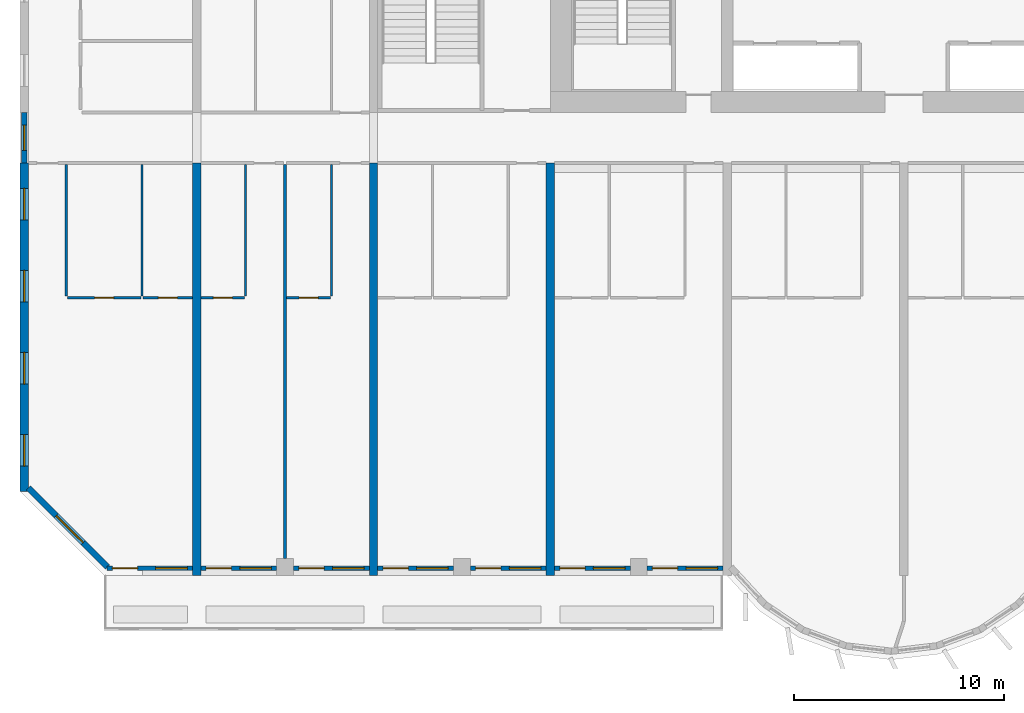
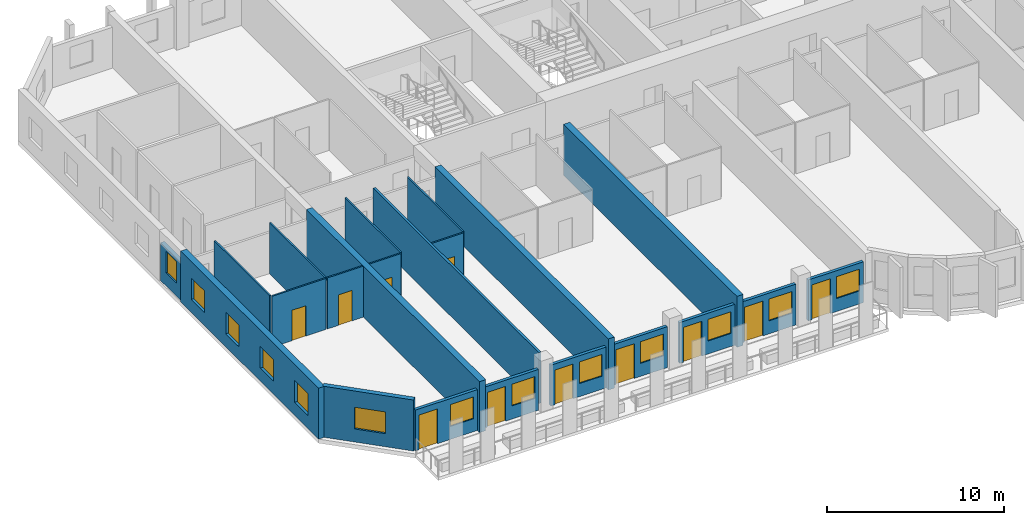
# One storey, part 2 of 15: 22 walls, 13 windows, 11 doors, 24 openings.
"""IFC4 building model written with IfcOpenShell, lengths in metres."""

from ifc_helpers import new_model, si_unit, direction, frame, frame_2d, origin, place, context, subcontext, project, spatial, rectangle, extrude, source, transform, mapped, material, layer, layer_set, type_object, element, fill, save


model = new_model("IFC4")

# Units and contexts
model_context = context("Model", 3, precision=1e-05, world=origin(), true_north=direction((0.0, 1.0)))
body_context = subcontext(model_context, "Body", "Model", "MODEL_VIEW")
ifc_project = project(units=[si_unit("LENGTHUNIT", "METRE"), si_unit("AREAUNIT", "SQUARE_METRE"), si_unit("VOLUMEUNIT", "CUBIC_METRE"), si_unit("PLANEANGLEUNIT", "RADIAN"), si_unit("MASSUNIT", "GRAM", prefix="KILO")], contexts=[model_context])

# Site, building, storey
site_placement = place(None, origin())
site = spatial("IfcSite", under=ifc_project, at=site_placement, CompositionType="ELEMENT")
building_placement = place(site_placement, origin())
building = spatial("IfcBuilding", under=site, at=building_placement, Name="Vanashikhar Sky Hotel", CompositionType="ELEMENT")
storey_placement = place(building_placement, frame((0.0, 0.0, 46.800048828125)))
storey = spatial("IfcBuildingStorey", under=building, at=storey_placement, Name="L10", CompositionType="ELEMENT", Elevation=46.800048828125)

# Wall, openings, windows
ifc_material_1 = material(Name="Concrete M80", Category="concrete")
ifc_layer_1 = layer(ifc_material_1, 0.39990234375)
ifc_layer_set_1 = layer_set([ifc_layer_1], Name="RC shear wall 400 Concrete M80")
wall_type_1 = type_object("IfcWallType", Name="RC shear wall 400 Concrete M80", PredefinedType="SHEAR", material=ifc_layer_set_1)
shared_shape_1 = source(origin(), body_context, "Body", "SweptSolid", [
    extrude(rectangle(XDim=15.60009765625, YDim=0.39990234375, at=frame_2d((7.800048828125, 0.0))), origin(), (0.0, 0.0, 1.0), 3.52001953125),
])
wall_1_placement = place(storey_placement, frame((0.199951171875, 4.0, 0.0), z_axis=(0.0, 0.0, 1.0), x_axis=(0.0, 1.0, 0.0)))
wall_1 = element("IfcWall", 1, at=wall_1_placement, inside=storey, type_object=wall_type_1, Name="CW-L10-XW01-1", PredefinedType="SHEAR", context=body_context, shape_type="MappedRepresentation", body=[
    mapped(shared_shape_1, transform((0.0, 0.0, 0.0), scale=1.0)),
])
shared_shape_2 = source(origin(), body_context, "Body", "SweptSolid", [
    extrude(rectangle(XDim=1.5, YDim=1.5, at=frame_2d((0.75, 0.75))), frame((0.0, 0.2099609375, 0.0), z_axis=(0.0, -1.0, 0.0), x_axis=(1.0, 0.0, 0.0)), (0.0, 0.0, 1.0), 0.419921875),
])
opening_1_placement = place(wall_1_placement, frame((1.199951171875, 0.0, 0.89990234375)))
opening_1 = element("IfcOpeningElement", 2, at=opening_1_placement, cuts=wall_1, Name="Opening WN-1", PredefinedType="OPENING", context=body_context, shape_type="MappedRepresentation", body=[
    mapped(shared_shape_2, transform((0.0, 0.0, 0.0), scale=1.0)),
])
opening_2_placement = place(wall_1_placement, frame((5.10009765625, 0.0, 0.89990234375)))
opening_2 = element("IfcOpeningElement", 3, at=opening_2_placement, cuts=wall_1, Name="Opening WN-1", PredefinedType="OPENING", context=body_context, shape_type="MappedRepresentation", body=[
    mapped(shared_shape_2, transform((0.0, 0.0, 0.0), scale=1.0)),
])
opening_3_placement = place(wall_1_placement, frame((9.0, 0.0, 0.89990234375)))
opening_3 = element("IfcOpeningElement", 4, at=opening_3_placement, cuts=wall_1, Name="Opening WN-1", PredefinedType="OPENING", context=body_context, shape_type="MappedRepresentation", body=[
    mapped(shared_shape_2, transform((0.0, 0.0, 0.0), scale=1.0)),
])
opening_4_placement = place(wall_1_placement, frame((12.89990234375, 0.0, 0.89990234375)))
opening_4 = element("IfcOpeningElement", 5, at=opening_4_placement, cuts=wall_1, Name="Opening WN-1", PredefinedType="OPENING", context=body_context, shape_type="MappedRepresentation", body=[
    mapped(shared_shape_2, transform((0.0, 0.0, 0.0), scale=1.0)),
])
ifc_material_2 = material(Name="Glass", Category="glass")
window_type_1 = type_object("IfcWindowType", Name="Window 1500 x 1500", PartitioningType="SINGLE_PANEL", PredefinedType="WINDOW", material=ifc_material_2)
shared_shape_3 = source(origin(), body_context, "Body", "SweptSolid", [
    extrude(rectangle(XDim=1.5, YDim=1.5, at=frame_2d((0.75, 0.75))), frame((0.0, 0.030029296875, 0.0), z_axis=(0.0, -1.0, 0.0), x_axis=(1.0, 0.0, 0.0)), (0.0, 0.0, 1.0), 0.06005859375),
])
window_1_placement = place(opening_1_placement, origin())
window_1 = element("IfcWindow", 6, at=window_1_placement, inside=storey, type_object=window_type_1, Name="Window WN-1", OverallHeight=1.5, OverallWidth=1.5, PartitioningType="SINGLE_PANEL", PredefinedType="WINDOW", context=body_context, shape_type="MappedRepresentation", body=[
    mapped(shared_shape_3, transform((0.0, 0.0, 0.0), scale=1.0)),
])
fill(opening_1, window_1)
window_2_placement = place(opening_2_placement, origin())
window_2 = element("IfcWindow", 7, at=window_2_placement, inside=storey, type_object=window_type_1, Name="Window WN-1", OverallHeight=1.5, OverallWidth=1.5, PartitioningType="SINGLE_PANEL", PredefinedType="WINDOW", context=body_context, shape_type="MappedRepresentation", body=[
    mapped(shared_shape_3, transform((0.0, 0.0, 0.0), scale=1.0)),
])
fill(opening_2, window_2)
window_3_placement = place(opening_3_placement, origin())
window_3 = element("IfcWindow", 8, at=window_3_placement, inside=storey, type_object=window_type_1, Name="Window WN-1", OverallHeight=1.5, OverallWidth=1.5, PartitioningType="SINGLE_PANEL", PredefinedType="WINDOW", context=body_context, shape_type="MappedRepresentation", body=[
    mapped(shared_shape_3, transform((0.0, 0.0, 0.0), scale=1.0)),
])
fill(opening_3, window_3)
window_4_placement = place(opening_4_placement, origin())
window_4 = element("IfcWindow", 9, at=window_4_placement, inside=storey, type_object=window_type_1, Name="Window WN-1", OverallHeight=1.5, OverallWidth=1.5, PartitioningType="SINGLE_PANEL", PredefinedType="WINDOW", context=body_context, shape_type="MappedRepresentation", body=[
    mapped(shared_shape_3, transform((0.0, 0.0, 0.0), scale=1.0)),
])
fill(opening_4, window_4)

# Walls
shared_shape_4 = source(origin(), body_context, "Body", "SweptSolid", [
    extrude(rectangle(XDim=19.60009765625, YDim=0.39990234375, at=frame_2d((9.800048828125, 0.0))), origin(), (0.0, 0.0, 1.0), 3.52001953125),
])
for number, where, z_axis, x_axis, name in (
    (10, (8.39990234375, 0.0, 0.0), (0.0, 0.0, 1.0), (0.0, 1.0, 0.0), "CW-L10-XW02-1"),
    (11, (16.800048828125, 0.0, 0.0), (0.0, 0.0, 1.0), (0.0, 1.0, 0.0), "CW-L10-XW03-1"),
    (12, (25.199951171875, 0.0, 0.0), (0.0, 0.0, 1.0), (0.0, 1.0, 0.0), "CW-L10-XW04-1"),
):
    element("IfcWall", number, at=place(storey_placement, frame(where, z_axis=z_axis, x_axis=x_axis)), inside=storey, type_object=wall_type_1, Name=name, PredefinedType="SHEAR", context=body_context, shape_type="MappedRepresentation", body=[
        mapped(shared_shape_4, transform((0.0, 0.0, 0.0), scale=1.0)),
    ])

# Wall, opening, window
ifc_material_3 = material(Name="Concrete M50", Category="concrete")
ifc_layer_2 = layer(ifc_material_3, 0.300048828125)
ifc_layer_set_2 = layer_set([ifc_layer_2], Name="Lobe wall 300")
wall_type_2 = type_object("IfcWallType", Name="Lobe wall 300", PredefinedType="SOLIDWALL", material=ifc_layer_set_2)
shared_shape_5 = source(origin(), body_context, "Body", "SweptSolid", [
    extrude(rectangle(XDim=5.32568359375, YDim=0.300048828125, at=frame_2d((2.662841796875, 0.0))), origin(), (0.0, 0.0, 1.0), 3.52001953125),
])
wall_2_placement = place(storey_placement, frame((0.39990234375, 4.165771484375, 0.0), z_axis=(0.0, 0.0, 1.0), x_axis=(0.707106781187, -0.707106781187, 0.0)))
wall_2 = element("IfcWall", 13, at=wall_2_placement, inside=storey, type_object=wall_type_2, Name="Corner wall", PredefinedType="SOLIDWALL", context=body_context, shape_type="MappedRepresentation", body=[
    mapped(shared_shape_5, transform((0.0, 0.0, 0.0), scale=1.0)),
])
shared_shape_6 = source(origin(), body_context, "Body", "SweptSolid", [
    extrude(rectangle(XDim=1.800048828125, YDim=1.5, at=frame_2d((0.89990234375, 0.75))), frame((0.0, 0.16015625, 0.0), z_axis=(0.0, -1.0, 0.0), x_axis=(1.0, 0.0, 0.0)), (0.0, 0.0, 1.0), 0.320068359375),
])
opening_5_placement = place(wall_2_placement, frame((1.871337890625, 0.0, 0.89990234375)))
opening_5 = element("IfcOpeningElement", 14, at=opening_5_placement, cuts=wall_2, Name="Opening WN-4", PredefinedType="OPENING", context=body_context, shape_type="MappedRepresentation", body=[
    mapped(shared_shape_6, transform((0.0, 0.0, 0.0), scale=1.0)),
])
window_type_2 = type_object("IfcWindowType", Name="Corner window 1800 x 1500", PartitioningType="SINGLE_PANEL", PredefinedType="WINDOW", material=ifc_material_2)
shared_shape_7 = source(origin(), body_context, "Body", "SweptSolid", [
    extrude(rectangle(XDim=1.800048828125, YDim=1.5, at=frame_2d((0.89990234375, 0.75))), frame((0.0, 0.030029296875, 0.0), z_axis=(0.0, -1.0, 0.0), x_axis=(1.0, 0.0, 0.0)), (0.0, 0.0, 1.0), 0.06005859375),
])
window_5_placement = place(opening_5_placement, origin())
window_5 = element("IfcWindow", 15, at=window_5_placement, inside=storey, type_object=window_type_2, Name="Window WN-4", OverallHeight=1.5, OverallWidth=1.800048828125, PartitioningType="SINGLE_PANEL", PredefinedType="WINDOW", context=body_context, shape_type="MappedRepresentation", body=[
    mapped(shared_shape_7, transform((0.0, 0.0, 0.0), scale=1.0)),
])
fill(opening_5, window_5)

ifc_layer_3 = layer(ifc_material_3, 0.25)
ifc_layer_set_3 = layer_set([ifc_layer_3], Name="Rear and end board-marked wall 250")
wall_type_3 = type_object("IfcWallType", Name="Rear and end board-marked wall 250", PredefinedType="SOLIDWALL", material=ifc_layer_set_3)
shared_shape_8 = source(origin(), body_context, "Body", "SweptSolid", [
    extrude(rectangle(XDim=2.39990234375, YDim=0.25, at=frame_2d((1.199951171875, 0.0))), origin(), (0.0, 0.0, 1.0), 2.619873046875),
])
wall_3_placement = place(storey_placement, frame((0.199951171875, 19.60009765625, 0.0), z_axis=(0.0, 0.0, 1.0), x_axis=(0.0, 1.0, 0.0)))
wall_3 = element("IfcWall", 16, at=wall_3_placement, inside=storey, type_object=wall_type_3, Name="End corridor infill wall", PredefinedType="SOLIDWALL", context=body_context, shape_type="MappedRepresentation", body=[
    mapped(shared_shape_8, transform((0.0, 0.0, 0.0), scale=1.0)),
])
shared_shape_9 = source(origin(), body_context, "Body", "SweptSolid", [
    extrude(rectangle(XDim=1.199951171875, YDim=1.5, at=frame_2d((0.60009765625, 0.75))), frame((0.0, 0.135009765625, 0.0), z_axis=(0.0, -1.0, 0.0), x_axis=(1.0, 0.0, 0.0)), (0.0, 0.0, 1.0), 0.27001953125),
])
opening_6_placement = place(wall_3_placement, frame((0.60009765625, 0.0, 0.89990234375)))
opening_6 = element("IfcOpeningElement", 17, at=opening_6_placement, cuts=wall_3, Name="Opening WN-3", PredefinedType="OPENING", context=body_context, shape_type="MappedRepresentation", body=[
    mapped(shared_shape_9, transform((0.0, 0.0, 0.0), scale=1.0)),
])
window_type_3 = type_object("IfcWindowType", Name="Corridor end window 1200 x 1500", PartitioningType="SINGLE_PANEL", PredefinedType="WINDOW", material=ifc_material_2)
shared_shape_10 = source(origin(), body_context, "Body", "SweptSolid", [
    extrude(rectangle(XDim=1.199951171875, YDim=1.5, at=frame_2d((0.60009765625, 0.75))), frame((0.0, 0.030029296875, 0.0), z_axis=(0.0, -1.0, 0.0), x_axis=(1.0, 0.0, 0.0)), (0.0, 0.0, 1.0), 0.06005859375),
])
window_6_placement = place(opening_6_placement, origin())
window_6 = element("IfcWindow", 18, at=window_6_placement, inside=storey, type_object=window_type_3, Name="Window WN-3", OverallHeight=1.5, OverallWidth=1.199951171875, PartitioningType="SINGLE_PANEL", PredefinedType="WINDOW", context=body_context, shape_type="MappedRepresentation", body=[
    mapped(shared_shape_10, transform((0.0, 0.0, 0.0), scale=1.0)),
])
fill(opening_6, window_6)

# Wall, openings, window, door
ifc_layer_4 = layer(ifc_material_3, 0.199951171875)
ifc_layer_set_4 = layer_set([ifc_layer_4], Name="Front window wall 200")
wall_type_4 = type_object("IfcWallType", Name="Front window wall 200", PredefinedType="SOLIDWALL", material=ifc_layer_set_4)
shared_shape_11 = source(origin(), body_context, "Body", "SweptSolid", [
    extrude(rectangle(XDim=4.054931640625, YDim=0.199951171875, at=frame_2d((2.02734375, 0.0))), origin(), (0.0, 0.0, 1.0), 2.820068359375),
])
wall_4_placement = place(storey_placement, frame((4.14501953125, 0.35009765625, 0.0), z_axis=(0.0, 0.0, 1.0), x_axis=(1.0, 0.0, 0.0)))
wall_4 = element("IfcWall", 19, at=wall_4_placement, inside=storey, type_object=wall_type_4, Name="Front window wall", PredefinedType="SOLIDWALL", context=body_context, shape_type="MappedRepresentation", body=[
    mapped(shared_shape_11, transform((0.0, 0.0, 0.0), scale=1.0)),
])
shared_shape_12 = source(origin(), body_context, "Body", "SweptSolid", [
    extrude(rectangle(XDim=1.199951171875, YDim=2.39990234375, at=frame_2d((0.60009765625, 1.199951171875))), frame((0.0, 0.10986328125, 0.0), z_axis=(0.0, -1.0, 0.0), x_axis=(1.0, 0.0, 0.0)), (0.0, 0.0, 1.0), 0.219970703125),
])
opening_7_placement = place(wall_4_placement, frame((0.25, 0.0, 0.0)))
opening_7 = element("IfcOpeningElement", 20, at=opening_7_placement, cuts=wall_4, Name="Opening BD-01", PredefinedType="OPENING", context=body_context, shape_type="MappedRepresentation", body=[
    mapped(shared_shape_12, transform((0.0, 0.0, 0.0), scale=1.0)),
])
shared_shape_13 = source(origin(), body_context, "Body", "SweptSolid", [
    extrude(rectangle(XDim=1.5, YDim=1.5, at=frame_2d((0.75, 0.75))), frame((0.0, 0.10986328125, 0.0), z_axis=(0.0, -1.0, 0.0), x_axis=(1.0, 0.0, 0.0)), (0.0, 0.0, 1.0), 0.219970703125),
])
opening_8_placement = place(wall_4_placement, frame((2.304931640625, 0.0, 0.89990234375)))
opening_8 = element("IfcOpeningElement", 21, at=opening_8_placement, cuts=wall_4, Name="Opening WN-1", PredefinedType="OPENING", context=body_context, shape_type="MappedRepresentation", body=[
    mapped(shared_shape_13, transform((0.0, 0.0, 0.0), scale=1.0)),
])
window_7_placement = place(opening_8_placement, origin())
window_7 = element("IfcWindow", 22, at=window_7_placement, inside=storey, type_object=window_type_1, Name="Window WN-1", OverallHeight=1.5, OverallWidth=1.5, PartitioningType="SINGLE_PANEL", PredefinedType="WINDOW", context=body_context, shape_type="MappedRepresentation", body=[
    mapped(shared_shape_3, transform((0.0, 0.0, 0.0), scale=1.0)),
])
fill(opening_8, window_7)
ifc_material_4 = material(Name="Aluminium", Category="aluminium")
door_type_1 = type_object("IfcDoorType", Name="Balcony sliding door 1200 x 2400", OperationType="NOTDEFINED", PredefinedType="DOOR", material=ifc_material_4)
shared_shape_14 = source(origin(), body_context, "Body", "SweptSolid", [
    extrude(rectangle(XDim=1.199951171875, YDim=2.39990234375, at=frame_2d((0.60009765625, 1.199951171875))), frame((0.0, 0.02490234375, 0.0), z_axis=(0.0, -1.0, 0.0), x_axis=(1.0, 0.0, 0.0)), (0.0, 0.0, 1.0), 0.050048828125),
])
door_1_placement = place(opening_7_placement, origin())
door_1 = element("IfcDoor", 23, at=door_1_placement, inside=storey, type_object=door_type_1, Name="Balcony sliding door", OperationType="SLIDING_TO_LEFT", OverallHeight=2.39990234375, OverallWidth=1.199951171875, PredefinedType="DOOR", context=body_context, shape_type="MappedRepresentation", body=[
    mapped(shared_shape_14, transform((0.0, 0.0, 0.0), scale=1.0)),
])
fill(opening_7, door_1)

shared_shape_15 = source(origin(), body_context, "Body", "SweptSolid", [
    extrude(rectangle(XDim=3.599853515625, YDim=0.199951171875, at=frame_2d((1.7998046875, 0.0))), origin(), (0.0, 0.0, 1.0), 2.820068359375),
])
wall_5_placement = place(storey_placement, frame((8.60009765625, 0.35009765625, 0.0), z_axis=(0.0, 0.0, 1.0), x_axis=(1.0, 0.0, 0.0)))
wall_5 = element("IfcWall", 24, at=wall_5_placement, inside=storey, type_object=wall_type_4, Name="Front window wall", PredefinedType="SOLIDWALL", context=body_context, shape_type="MappedRepresentation", body=[
    mapped(shared_shape_15, transform((0.0, 0.0, 0.0), scale=1.0)),
])
opening_9_placement = place(wall_5_placement, frame((0.25, 0.0, 0.0)))
opening_9 = element("IfcOpeningElement", 25, at=opening_9_placement, cuts=wall_5, Name="Opening BD-02", PredefinedType="OPENING", context=body_context, shape_type="MappedRepresentation", body=[
    mapped(shared_shape_12, transform((0.0, 0.0, 0.0), scale=1.0)),
])
opening_10_placement = place(wall_5_placement, frame((1.85009765625, 0.0, 0.89990234375)))
opening_10 = element("IfcOpeningElement", 26, at=opening_10_placement, cuts=wall_5, Name="Opening WN-1", PredefinedType="OPENING", context=body_context, shape_type="MappedRepresentation", body=[
    mapped(shared_shape_13, transform((0.0, 0.0, 0.0), scale=1.0)),
])
window_8_placement = place(opening_10_placement, origin())
window_8 = element("IfcWindow", 27, at=window_8_placement, inside=storey, type_object=window_type_1, Name="Window WN-1", OverallHeight=1.5, OverallWidth=1.5, PartitioningType="SINGLE_PANEL", PredefinedType="WINDOW", context=body_context, shape_type="MappedRepresentation", body=[
    mapped(shared_shape_3, transform((0.0, 0.0, 0.0), scale=1.0)),
])
fill(opening_10, window_8)
door_2_placement = place(opening_9_placement, origin())
door_2 = element("IfcDoor", 28, at=door_2_placement, inside=storey, type_object=door_type_1, Name="Balcony sliding door", OperationType="SLIDING_TO_RIGHT", OverallHeight=2.39990234375, OverallWidth=1.199951171875, PredefinedType="DOOR", context=body_context, shape_type="MappedRepresentation", body=[
    mapped(shared_shape_14, transform((0.0, 0.0, 0.0), scale=1.0)),
])
fill(opening_9, door_2)

wall_6_placement = place(storey_placement, frame((29.800048828125, 0.35009765625, 0.0), z_axis=(0.0, 0.0, 1.0), x_axis=(1.0, 0.0, 0.0)))
wall_6 = element("IfcWall", 29, at=wall_6_placement, inside=storey, type_object=wall_type_4, Name="Front window wall", PredefinedType="SOLIDWALL", context=body_context, shape_type="MappedRepresentation", body=[
    mapped(shared_shape_15, transform((0.0, 0.0, 0.0), scale=1.0)),
])
opening_11_placement = place(wall_6_placement, frame((0.25, 0.0, 0.0)))
opening_11 = element("IfcOpeningElement", 30, at=opening_11_placement, cuts=wall_6, Name="Opening BD-07", PredefinedType="OPENING", context=body_context, shape_type="MappedRepresentation", body=[
    mapped(shared_shape_12, transform((0.0, 0.0, 0.0), scale=1.0)),
])
opening_12_placement = place(wall_6_placement, frame((1.85009765625, 0.0, 0.89990234375)))
opening_12 = element("IfcOpeningElement", 31, at=opening_12_placement, cuts=wall_6, Name="Opening WN-1", PredefinedType="OPENING", context=body_context, shape_type="MappedRepresentation", body=[
    mapped(shared_shape_13, transform((0.0, 0.0, 0.0), scale=1.0)),
])
window_9_placement = place(opening_12_placement, origin())
window_9 = element("IfcWindow", 32, at=window_9_placement, inside=storey, type_object=window_type_1, Name="Window WN-1", OverallHeight=1.5, OverallWidth=1.5, PartitioningType="SINGLE_PANEL", PredefinedType="WINDOW", context=body_context, shape_type="MappedRepresentation", body=[
    mapped(shared_shape_3, transform((0.0, 0.0, 0.0), scale=1.0)),
])
fill(opening_12, window_9)
door_3_placement = place(opening_11_placement, origin())
door_3 = element("IfcDoor", 33, at=door_3_placement, inside=storey, type_object=door_type_1, Name="Balcony sliding door", OperationType="SLIDING_TO_LEFT", OverallHeight=2.39990234375, OverallWidth=1.199951171875, PredefinedType="DOOR", context=body_context, shape_type="MappedRepresentation", body=[
    mapped(shared_shape_14, transform((0.0, 0.0, 0.0), scale=1.0)),
])
fill(opening_11, door_3)

shared_shape_16 = source(origin(), body_context, "Body", "SweptSolid", [
    extrude(rectangle(XDim=3.60009765625, YDim=0.199951171875, at=frame_2d((1.800048828125, 0.0))), origin(), (0.0, 0.0, 1.0), 2.820068359375),
])
wall_7_placement = place(storey_placement, frame((13.0, 0.35009765625, 0.0), z_axis=(0.0, 0.0, 1.0), x_axis=(1.0, 0.0, 0.0)))
wall_7 = element("IfcWall", 34, at=wall_7_placement, inside=storey, type_object=wall_type_4, Name="Front window wall", PredefinedType="SOLIDWALL", context=body_context, shape_type="MappedRepresentation", body=[
    mapped(shared_shape_16, transform((0.0, 0.0, 0.0), scale=1.0)),
])
opening_13_placement = place(wall_7_placement, frame((0.25, 0.0, 0.0)))
opening_13 = element("IfcOpeningElement", 35, at=opening_13_placement, cuts=wall_7, Name="Opening BD-03", PredefinedType="OPENING", context=body_context, shape_type="MappedRepresentation", body=[
    mapped(shared_shape_12, transform((0.0, 0.0, 0.0), scale=1.0)),
])
opening_14_placement = place(wall_7_placement, frame((1.85009765625, 0.0, 0.89990234375)))
opening_14 = element("IfcOpeningElement", 36, at=opening_14_placement, cuts=wall_7, Name="Opening WN-1", PredefinedType="OPENING", context=body_context, shape_type="MappedRepresentation", body=[
    mapped(shared_shape_13, transform((0.0, 0.0, 0.0), scale=1.0)),
])
window_10_placement = place(opening_14_placement, origin())
window_10 = element("IfcWindow", 37, at=window_10_placement, inside=storey, type_object=window_type_1, Name="Window WN-1", OverallHeight=1.5, OverallWidth=1.5, PartitioningType="SINGLE_PANEL", PredefinedType="WINDOW", context=body_context, shape_type="MappedRepresentation", body=[
    mapped(shared_shape_3, transform((0.0, 0.0, 0.0), scale=1.0)),
])
fill(opening_14, window_10)
door_4_placement = place(opening_13_placement, origin())
door_4 = element("IfcDoor", 38, at=door_4_placement, inside=storey, type_object=door_type_1, Name="Balcony sliding door", OperationType="SLIDING_TO_LEFT", OverallHeight=2.39990234375, OverallWidth=1.199951171875, PredefinedType="DOOR", context=body_context, shape_type="MappedRepresentation", body=[
    mapped(shared_shape_14, transform((0.0, 0.0, 0.0), scale=1.0)),
])
fill(opening_13, door_4)

wall_8_placement = place(storey_placement, frame((17.0, 0.35009765625, 0.0), z_axis=(0.0, 0.0, 1.0), x_axis=(1.0, 0.0, 0.0)))
wall_8 = element("IfcWall", 39, at=wall_8_placement, inside=storey, type_object=wall_type_4, Name="Front window wall", PredefinedType="SOLIDWALL", context=body_context, shape_type="MappedRepresentation", body=[
    mapped(shared_shape_16, transform((0.0, 0.0, 0.0), scale=1.0)),
])
opening_15_placement = place(wall_8_placement, frame((0.25, 0.0, 0.0)))
opening_15 = element("IfcOpeningElement", 40, at=opening_15_placement, cuts=wall_8, Name="Opening BD-04", PredefinedType="OPENING", context=body_context, shape_type="MappedRepresentation", body=[
    mapped(shared_shape_12, transform((0.0, 0.0, 0.0), scale=1.0)),
])
opening_16_placement = place(wall_8_placement, frame((1.85009765625, 0.0, 0.89990234375)))
opening_16 = element("IfcOpeningElement", 41, at=opening_16_placement, cuts=wall_8, Name="Opening WN-1", PredefinedType="OPENING", context=body_context, shape_type="MappedRepresentation", body=[
    mapped(shared_shape_13, transform((0.0, 0.0, 0.0), scale=1.0)),
])
window_11_placement = place(opening_16_placement, origin())
window_11 = element("IfcWindow", 42, at=window_11_placement, inside=storey, type_object=window_type_1, Name="Window WN-1", OverallHeight=1.5, OverallWidth=1.5, PartitioningType="SINGLE_PANEL", PredefinedType="WINDOW", context=body_context, shape_type="MappedRepresentation", body=[
    mapped(shared_shape_3, transform((0.0, 0.0, 0.0), scale=1.0)),
])
fill(opening_16, window_11)
door_5_placement = place(opening_15_placement, origin())
door_5 = element("IfcDoor", 43, at=door_5_placement, inside=storey, type_object=door_type_1, Name="Balcony sliding door", OperationType="SLIDING_TO_RIGHT", OverallHeight=2.39990234375, OverallWidth=1.199951171875, PredefinedType="DOOR", context=body_context, shape_type="MappedRepresentation", body=[
    mapped(shared_shape_14, transform((0.0, 0.0, 0.0), scale=1.0)),
])
fill(opening_15, door_5)

wall_9_placement = place(storey_placement, frame((21.39990234375, 0.35009765625, 0.0), z_axis=(0.0, 0.0, 1.0), x_axis=(1.0, 0.0, 0.0)))
wall_9 = element("IfcWall", 44, at=wall_9_placement, inside=storey, type_object=wall_type_4, Name="Front window wall", PredefinedType="SOLIDWALL", context=body_context, shape_type="MappedRepresentation", body=[
    mapped(shared_shape_16, transform((0.0, 0.0, 0.0), scale=1.0)),
])
opening_17_placement = place(wall_9_placement, frame((0.25, 0.0, 0.0)))
opening_17 = element("IfcOpeningElement", 45, at=opening_17_placement, cuts=wall_9, Name="Opening BD-05", PredefinedType="OPENING", context=body_context, shape_type="MappedRepresentation", body=[
    mapped(shared_shape_12, transform((0.0, 0.0, 0.0), scale=1.0)),
])
opening_18_placement = place(wall_9_placement, frame((1.85009765625, 0.0, 0.89990234375)))
opening_18 = element("IfcOpeningElement", 46, at=opening_18_placement, cuts=wall_9, Name="Opening WN-1", PredefinedType="OPENING", context=body_context, shape_type="MappedRepresentation", body=[
    mapped(shared_shape_13, transform((0.0, 0.0, 0.0), scale=1.0)),
])
window_12_placement = place(opening_18_placement, origin())
window_12 = element("IfcWindow", 47, at=window_12_placement, inside=storey, type_object=window_type_1, Name="Window WN-1", OverallHeight=1.5, OverallWidth=1.5, PartitioningType="SINGLE_PANEL", PredefinedType="WINDOW", context=body_context, shape_type="MappedRepresentation", body=[
    mapped(shared_shape_3, transform((0.0, 0.0, 0.0), scale=1.0)),
])
fill(opening_18, window_12)
door_6_placement = place(opening_17_placement, origin())
door_6 = element("IfcDoor", 48, at=door_6_placement, inside=storey, type_object=door_type_1, Name="Balcony sliding door", OperationType="SLIDING_TO_LEFT", OverallHeight=2.39990234375, OverallWidth=1.199951171875, PredefinedType="DOOR", context=body_context, shape_type="MappedRepresentation", body=[
    mapped(shared_shape_14, transform((0.0, 0.0, 0.0), scale=1.0)),
])
fill(opening_17, door_6)

wall_10_placement = place(storey_placement, frame((25.39990234375, 0.35009765625, 0.0), z_axis=(0.0, 0.0, 1.0), x_axis=(1.0, 0.0, 0.0)))
wall_10 = element("IfcWall", 49, at=wall_10_placement, inside=storey, type_object=wall_type_4, Name="Front window wall", PredefinedType="SOLIDWALL", context=body_context, shape_type="MappedRepresentation", body=[
    mapped(shared_shape_16, transform((0.0, 0.0, 0.0), scale=1.0)),
])
opening_19_placement = place(wall_10_placement, frame((0.25, 0.0, 0.0)))
opening_19 = element("IfcOpeningElement", 50, at=opening_19_placement, cuts=wall_10, Name="Opening BD-06", PredefinedType="OPENING", context=body_context, shape_type="MappedRepresentation", body=[
    mapped(shared_shape_12, transform((0.0, 0.0, 0.0), scale=1.0)),
])
opening_20_placement = place(wall_10_placement, frame((1.85009765625, 0.0, 0.89990234375)))
opening_20 = element("IfcOpeningElement", 51, at=opening_20_placement, cuts=wall_10, Name="Opening WN-1", PredefinedType="OPENING", context=body_context, shape_type="MappedRepresentation", body=[
    mapped(shared_shape_13, transform((0.0, 0.0, 0.0), scale=1.0)),
])
window_13_placement = place(opening_20_placement, origin())
window_13 = element("IfcWindow", 52, at=window_13_placement, inside=storey, type_object=window_type_1, Name="Window WN-1", OverallHeight=1.5, OverallWidth=1.5, PartitioningType="SINGLE_PANEL", PredefinedType="WINDOW", context=body_context, shape_type="MappedRepresentation", body=[
    mapped(shared_shape_3, transform((0.0, 0.0, 0.0), scale=1.0)),
])
fill(opening_20, window_13)
door_7_placement = place(opening_19_placement, origin())
door_7 = element("IfcDoor", 53, at=door_7_placement, inside=storey, type_object=door_type_1, Name="Balcony sliding door", OperationType="SLIDING_TO_RIGHT", OverallHeight=2.39990234375, OverallWidth=1.199951171875, PredefinedType="DOOR", context=body_context, shape_type="MappedRepresentation", body=[
    mapped(shared_shape_14, transform((0.0, 0.0, 0.0), scale=1.0)),
])
fill(opening_19, door_7)

# Wall, opening, door
ifc_material_5 = material(Name="Gypsum plasterboard partition")
ifc_layer_5 = layer(ifc_material_5, 0.10009765625)
ifc_layer_set_5 = layer_set([ifc_layer_5], Name="Wet room partition 100")
wall_type_5 = type_object("IfcWallType", Name="Wet room partition 100", PredefinedType="PARTITIONING", material=ifc_layer_set_5)
shared_shape_17 = source(origin(), body_context, "Body", "SweptSolid", [
    extrude(rectangle(XDim=3.5, YDim=0.10009765625, at=frame_2d((1.75, 0.0))), origin(), (0.0, 0.0, 1.0), 3.52001953125),
])
wall_11_placement = place(storey_placement, frame((2.25, 13.199951171875, 0.0), z_axis=(0.0, 0.0, 1.0), x_axis=(1.0, 0.0, 0.0)))
wall_11 = element("IfcWall", 54, at=wall_11_placement, inside=storey, type_object=wall_type_5, Name="W-L10-PW003", PredefinedType="PARTITIONING", context=body_context, shape_type="MappedRepresentation", body=[
    mapped(shared_shape_17, transform((0.0, 0.0, 0.0), scale=1.0)),
])
shared_shape_18 = source(origin(), body_context, "Body", "SweptSolid", [
    extrude(rectangle(XDim=0.89990234375, YDim=2.10009765625, at=frame_2d((0.449951171875, 1.050048828125))), frame((0.0, 0.06005859375, 0.0), z_axis=(0.0, -1.0, 0.0), x_axis=(1.0, 0.0, 0.0)), (0.0, 0.0, 1.0), 0.1201171875),
])
opening_21_placement = place(wall_11_placement, frame((1.300048828125, 0.0, 0.0)))
opening_21 = element("IfcOpeningElement", 55, at=opening_21_placement, cuts=wall_11, Name="Opening D-02", PredefinedType="OPENING", context=body_context, shape_type="MappedRepresentation", body=[
    mapped(shared_shape_18, transform((0.0, 0.0, 0.0), scale=1.0)),
])
ifc_material_6 = material(Name="Timber door", Category="wood")
door_type_2 = type_object("IfcDoorType", Name="Internal door 900", OperationType="NOTDEFINED", PredefinedType="DOOR", material=ifc_material_6)
shared_shape_19 = source(origin(), body_context, "Body", "SweptSolid", [
    extrude(rectangle(XDim=0.89990234375, YDim=2.10009765625, at=frame_2d((0.449951171875, 1.050048828125))), frame((0.0, 0.02490234375, 0.0), z_axis=(0.0, -1.0, 0.0), x_axis=(1.0, 0.0, 0.0)), (0.0, 0.0, 1.0), 0.050048828125),
])
door_8_placement = place(opening_21_placement, origin())
door_8 = element("IfcDoor", 56, at=door_8_placement, inside=storey, type_object=door_type_2, Name="D-L10-001", OperationType="SINGLE_SWING_LEFT", OverallHeight=2.10009765625, OverallWidth=0.89990234375, PredefinedType="DOOR", context=body_context, shape_type="MappedRepresentation", body=[
    mapped(shared_shape_19, transform((0.0, 0.0, 0.0), scale=1.0)),
])
fill(opening_21, door_8)

# Walls
shared_shape_20 = source(origin(), body_context, "Body", "SweptSolid", [
    extrude(rectangle(XDim=6.25, YDim=0.10009765625, at=frame_2d((3.125, 0.0))), origin(), (0.0, 0.0, 1.0), 3.52001953125),
])
for number, where, z_axis, x_axis, name in (
    (57, (2.199951171875, 13.27490234375, 0.0), (0.0, 0.0, 1.0), (0.0, 1.0, 0.0), "W-L10-PW001"),
    (58, (5.800048828125, 13.27490234375, 0.0), (0.0, 0.0, 1.0), (0.0, 1.0, 0.0), "W-L10-PW002"),
    (59, (10.72509765625, 13.27490234375, 0.0), (0.0, 0.0, 1.0), (0.0, 1.0, 0.0), "W-L10-PW006"),
    (60, (14.800048828125, 13.27490234375, 0.0), (0.0, 0.0, 1.0), (0.0, 1.0, 0.0), "W-L10-PW009"),
):
    element("IfcWall", number, at=place(storey_placement, frame(where, z_axis=z_axis, x_axis=x_axis)), inside=storey, type_object=wall_type_5, Name=name, PredefinedType="PARTITIONING", context=body_context, shape_type="MappedRepresentation", body=[
        mapped(shared_shape_20, transform((0.0, 0.0, 0.0), scale=1.0)),
    ])

# Wall, opening, door
shared_shape_21 = source(origin(), body_context, "Body", "SweptSolid", [
    extrude(rectangle(XDim=2.349853515625, YDim=0.10009765625, at=frame_2d((1.1748046875, 0.0))), origin(), (0.0, 0.0, 1.0), 3.52001953125),
])
wall_12_placement = place(storey_placement, frame((5.85009765625, 13.199951171875, 0.0), z_axis=(0.0, 0.0, 1.0), x_axis=(1.0, 0.0, 0.0)))
wall_12 = element("IfcWall", 61, at=wall_12_placement, inside=storey, type_object=wall_type_5, Name="W-L10-PW004", PredefinedType="PARTITIONING", context=body_context, shape_type="MappedRepresentation", body=[
    mapped(shared_shape_21, transform((0.0, 0.0, 0.0), scale=1.0)),
])
opening_22_placement = place(wall_12_placement, frame((0.72509765625, 0.0, 0.0)))
opening_22 = element("IfcOpeningElement", 62, at=opening_22_placement, cuts=wall_12, Name="Opening D-02", PredefinedType="OPENING", context=body_context, shape_type="MappedRepresentation", body=[
    mapped(shared_shape_18, transform((0.0, 0.0, 0.0), scale=1.0)),
])
door_9_placement = place(opening_22_placement, origin())
door_9 = element("IfcDoor", 63, at=door_9_placement, inside=storey, type_object=door_type_2, Name="D-L10-002", OperationType="SINGLE_SWING_LEFT", OverallHeight=2.10009765625, OverallWidth=0.89990234375, PredefinedType="DOOR", context=body_context, shape_type="MappedRepresentation", body=[
    mapped(shared_shape_19, transform((0.0, 0.0, 0.0), scale=1.0)),
])
fill(opening_22, door_9)

shared_shape_22 = source(origin(), body_context, "Body", "SweptSolid", [
    extrude(rectangle(XDim=2.074951171875, YDim=0.10009765625, at=frame_2d((1.03759765625, 0.0))), origin(), (0.0, 0.0, 1.0), 3.52001953125),
])
wall_13_placement = place(storey_placement, frame((8.60009765625, 13.199951171875, 0.0), z_axis=(0.0, 0.0, 1.0), x_axis=(1.0, 0.0, 0.0)))
wall_13 = element("IfcWall", 64, at=wall_13_placement, inside=storey, type_object=wall_type_5, Name="W-L10-PW007", PredefinedType="PARTITIONING", context=body_context, shape_type="MappedRepresentation", body=[
    mapped(shared_shape_22, transform((0.0, 0.0, 0.0), scale=1.0)),
])
opening_23_placement = place(wall_13_placement, frame((0.587890625, 0.0, 0.0)))
opening_23 = element("IfcOpeningElement", 65, at=opening_23_placement, cuts=wall_13, Name="Opening D-02", PredefinedType="OPENING", context=body_context, shape_type="MappedRepresentation", body=[
    mapped(shared_shape_18, transform((0.0, 0.0, 0.0), scale=1.0)),
])
door_10_placement = place(opening_23_placement, origin())
door_10 = element("IfcDoor", 66, at=door_10_placement, inside=storey, type_object=door_type_2, Name="D-L10-004", OperationType="SINGLE_SWING_RIGHT", OverallHeight=2.10009765625, OverallWidth=0.89990234375, PredefinedType="DOOR", context=body_context, shape_type="MappedRepresentation", body=[
    mapped(shared_shape_19, transform((0.0, 0.0, 0.0), scale=1.0)),
])
fill(opening_23, door_10)

wall_14_placement = place(storey_placement, frame((12.675048828125, 13.199951171875, 0.0), z_axis=(0.0, 0.0, 1.0), x_axis=(1.0, 0.0, 0.0)))
wall_14 = element("IfcWall", 67, at=wall_14_placement, inside=storey, type_object=wall_type_5, Name="W-L10-PW010", PredefinedType="PARTITIONING", context=body_context, shape_type="MappedRepresentation", body=[
    mapped(shared_shape_22, transform((0.0, 0.0, 0.0), scale=1.0)),
])
opening_24_placement = place(wall_14_placement, frame((0.5869140625, 0.0, 0.0)))
opening_24 = element("IfcOpeningElement", 68, at=opening_24_placement, cuts=wall_14, Name="Opening D-02", PredefinedType="OPENING", context=body_context, shape_type="MappedRepresentation", body=[
    mapped(shared_shape_18, transform((0.0, 0.0, 0.0), scale=1.0)),
])
door_11_placement = place(opening_24_placement, origin())
door_11 = element("IfcDoor", 69, at=door_11_placement, inside=storey, type_object=door_type_2, Name="D-L10-006", OperationType="SINGLE_SWING_RIGHT", OverallHeight=2.10009765625, OverallWidth=0.89990234375, PredefinedType="DOOR", context=body_context, shape_type="MappedRepresentation", body=[
    mapped(shared_shape_19, transform((0.0, 0.0, 0.0), scale=1.0)),
])
fill(opening_24, door_11)

# Wall
ifc_layer_6 = layer(ifc_material_5, 0.14990234375)
ifc_layer_set_6 = layer_set([ifc_layer_6], Name="Corridor and demising partition 150")
wall_type_6 = type_object("IfcWallType", Name="Corridor and demising partition 150", PredefinedType="PARTITIONING", material=ifc_layer_set_6)
shared_shape_23 = source(origin(), body_context, "Body", "SweptSolid", [
    extrude(rectangle(XDim=18.724853515625, YDim=0.14990234375, at=frame_2d((9.3623046875, 0.0))), origin(), (0.0, 0.0, 1.0), 3.52001953125),
])
wall_15_placement = place(storey_placement, frame((12.60009765625, 0.800048828125, 0.0), z_axis=(0.0, 0.0, 1.0), x_axis=(0.0, 1.0, 0.0)))
element("IfcWall", 70, at=wall_15_placement, inside=storey, type_object=wall_type_6, Name="W-L10-PW012", PredefinedType="PARTITIONING", context=body_context, shape_type="MappedRepresentation", body=[
    mapped(shared_shape_23, transform((0.0, 0.0, 0.0), scale=1.0)),
])

save(model, "model.ifc")
